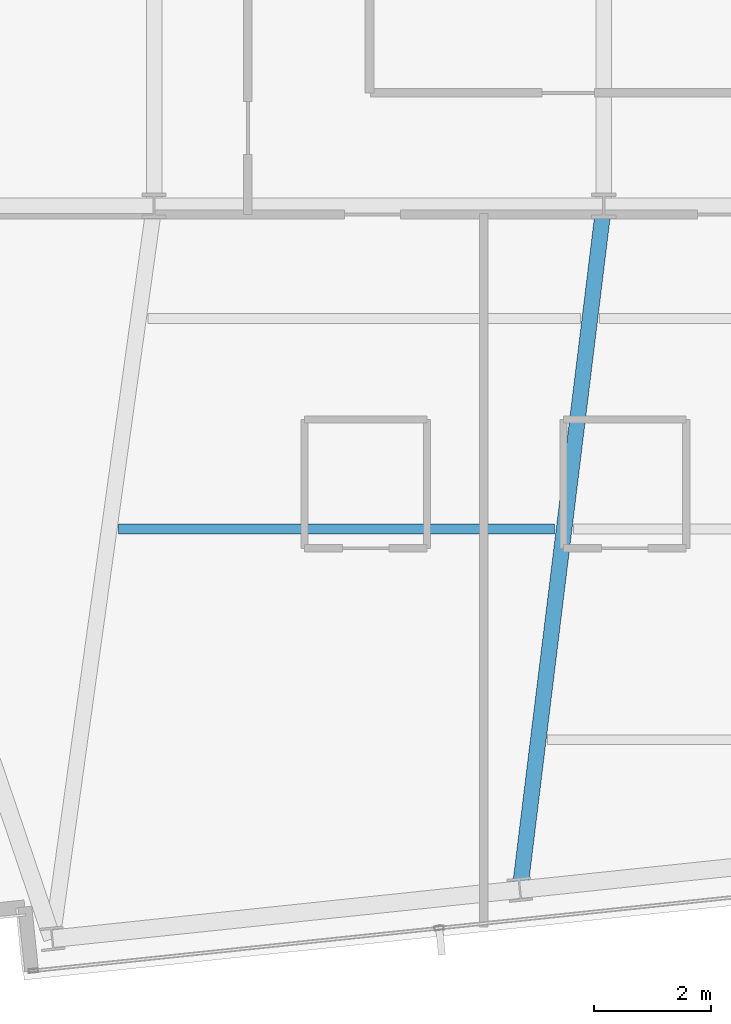
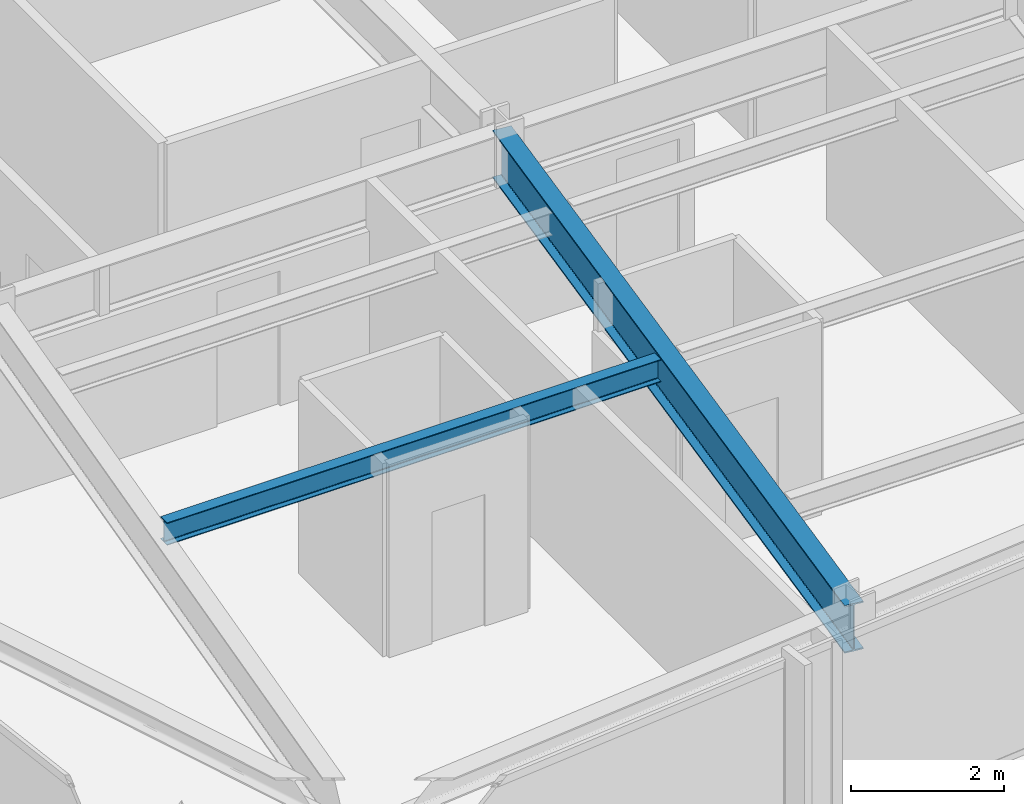
# One storey, part 4 of 33: 2 beams.
"""IFC4 building model written with IfcOpenShell, lengths in metres."""

import ifcopenshell
import ifcopenshell.guid

model = None  # the IFC model being written
_history = None  # IfcOwnerHistory: only IFC2X3 demands one
_inside = {}  # id of a spatial element -> (the spatial element, [elements in it])
_under = {}  # id of a project, library or spatial element -> (it, [spatial elements below it])
_declared = {}  # id of a project -> (the project, [libraries it declares])
_typed = {}  # id of a type object -> (the type object, [elements of that type])
_made_of = {}  # id of a material, layer set ... -> (it, [elements and type objects made of it])


def new_model(schema):
    """Start an empty IFC model of exactly this schema.

    Asked for "IFC4X3", IfcOpenShell would pick the latest addendum, in which some entities
    have other attributes; the version numbers below select the first issue.
    IFC2X3 requires an IfcOwnerHistory on every rooted entity: one is made here for all.
    """
    global model, _history
    if schema == "IFC4X3":
        model = ifcopenshell.file(schema_version=(4, 3, 0, 0))
    else:
        model = ifcopenshell.file(schema=schema)
    _inside.clear()
    _under.clear()
    _declared.clear()
    _typed.clear()
    _made_of.clear()
    _history = None
    if model.schema == "IFC2X3":
        org = make("IfcOrganization", Name="unknown")
        user = make(
            "IfcPersonAndOrganization",
            ThePerson=make("IfcPerson", FamilyName="unknown"),
            TheOrganization=org,
        )
        app = make(
            "IfcApplication",
            ApplicationDeveloper=org,
            Version="unknown",
            ApplicationFullName="unknown",
            ApplicationIdentifier="unknown",
        )
        _history = make(
            "IfcOwnerHistory",
            OwningUser=user,
            OwningApplication=app,
            ChangeAction="ADDED",
            CreationDate=0,
        )
    return model


def make(cls, **values):
    """One entity of the class cls with the attributes given. An attribute that is None is left unset."""
    return model.create_entity(
        cls, **{name: value for name, value in values.items() if value is not None}
    )


def rooted(cls, **values):
    """An entity with a GlobalId (a new one), such as an element, a storey or a relation."""
    return make(cls, GlobalId=ifcopenshell.guid.new(), OwnerHistory=_history, **values)


def si_unit(unit_type, name, prefix=None):
    """IfcSIUnit, for example si_unit("LENGTHUNIT", "METRE", prefix="MILLI")."""
    return make("IfcSIUnit", UnitType=unit_type, Prefix=prefix, Name=name)


def assignment(units):
    """IfcUnitAssignment: the units of a project."""
    return None if units is None else make("IfcUnitAssignment", Units=units)


def point(xyz):
    """IfcCartesianPoint."""
    return None if xyz is None else make("IfcCartesianPoint", Coordinates=xyz)


def direction(xyz):
    """IfcDirection."""
    return None if xyz is None else make("IfcDirection", DirectionRatios=xyz)


def frame(location, z_axis=None, x_axis=None):
    """IfcAxis2Placement3D, a coordinate frame: its origin and axes. An axis left out is left unset."""
    return make(
        "IfcAxis2Placement3D",
        Location=point(location),
        Axis=direction(z_axis),
        RefDirection=direction(x_axis),
    )


def frame_2d(location, x_axis=None):
    """IfcAxis2Placement2D, a coordinate frame in the plane: its origin and x axis."""
    return make(
        "IfcAxis2Placement2D", Location=point(location), RefDirection=direction(x_axis)
    )


def origin():
    """The frame at (0, 0, 0) with its axes left unset."""
    return frame((0.0, 0.0, 0.0))


def origin_2d():
    """The frame at (0, 0) in the plane with its x axis left unset."""
    return frame_2d((0.0, 0.0))


def place(relative_to, where):
    """IfcLocalPlacement: puts the frame where relative to a parent placement (None: the world)."""
    return make(
        "IfcLocalPlacement", PlacementRelTo=relative_to, RelativePlacement=where
    )


def context(
    kind, dimensions, precision=None, world=None, true_north=None, identifier=None
):
    """IfcGeometricRepresentationContext, for example the 3D "Model" context."""
    return make(
        "IfcGeometricRepresentationContext",
        ContextIdentifier=identifier,
        ContextType=kind,
        CoordinateSpaceDimension=dimensions,
        Precision=precision,
        WorldCoordinateSystem=world,
        TrueNorth=true_north,
    )


def subcontext(parent, identifier, kind, view, scale=None):
    """IfcGeometricRepresentationSubContext, for example "Body" below "Model"."""
    return make(
        "IfcGeometricRepresentationSubContext",
        ContextIdentifier=identifier,
        ContextType=kind,
        ParentContext=parent,
        TargetScale=scale,
        TargetView=view,
    )


def project(units=None, contexts=None):
    """IfcProject with its units and contexts."""
    return rooted(
        "IfcProject",
        Name="project",
        RepresentationContexts=contexts,
        UnitsInContext=assignment(units),
    )


def spatial(cls, under=None, at=None, **own):
    """A site, building, storey or space (cls), placed at a placement, below another one or the project."""
    s = rooted(cls, ObjectPlacement=at, **own)
    if under is not None:
        _under.setdefault(under.id(), (under, []))[1].append(s)
    return s


def profile(cls, at=None, kind="AREA", **sizes):
    """A parametric profile (cls). Its sizes go by their IFC names, for example OverallWidth=200.0."""
    return make(cls, ProfileType=kind, Position=at, **sizes)


def i_section(**sizes):
    """IfcIShapeProfileDef."""
    return profile("IfcIShapeProfileDef", **sizes)


def extrude(swept, where, along, depth):
    """IfcExtrudedAreaSolid: the profile swept, set in the frame where, extruded along a direction by depth."""
    return make(
        "IfcExtrudedAreaSolid",
        SweptArea=swept,
        Position=where,
        ExtrudedDirection=direction(along),
        Depth=depth,
    )


def shape(context_of_items, identifier, shape_type, items):
    """IfcShapeRepresentation: the items that make up one representation, for example the "Body"."""
    return make(
        "IfcShapeRepresentation",
        ContextOfItems=context_of_items,
        RepresentationIdentifier=identifier,
        RepresentationType=shape_type,
        Items=items,
    )


def material(Name=None, Category=None):
    """IfcMaterial."""
    return make("IfcMaterial", Name=Name, Category=Category)


def material_profile(
    of_material, cross_section, Name=None, Category=None, Priority=None
):
    """IfcMaterialProfile: a cross section and its material."""
    return make(
        "IfcMaterialProfile",
        Name=Name,
        Material=of_material,
        Profile=cross_section,
        Priority=Priority,
        Category=Category,
    )


def profile_set(profiles, Name=None, composite=None):
    """IfcMaterialProfileSet."""
    return make(
        "IfcMaterialProfileSet",
        Name=Name,
        MaterialProfiles=profiles,
        CompositeProfile=composite,
    )


def made_of(thing, what):
    """Note that an element or type object is made of a material, layer set ...; save() writes the relation."""
    if what is not None:
        _made_of.setdefault(what.id(), (what, []))[1].append(thing)
    return thing


def type_object(cls, material=None, **own):
    """A type object (cls), such as IfcWallType, which elements share."""
    return made_of(rooted(cls, **own), material)


def element(
    cls,
    number,
    at=None,
    inside=None,
    cuts=None,
    type_object=None,
    material=None,
    context=None,
    identifier="Body",
    shape_type=None,
    held_by="IfcProductDefinitionShape",
    body=None,
    shapes=None,
    **own,
):
    """One element of the class cls, such as IfcWall. Its Tag is "e" and its number.

    at: its placement. inside: the storey or other place that contains it. cuts: it is an
    opening in that element (IfcRelVoidsElement). A single representation is given by context,
    identifier, shape_type and body (its items); several are given by shapes. held_by: the class
    of the entity that holds the representations. save() writes the other relations.
    """
    e = rooted(cls, Tag="e%d" % number, ObjectPlacement=at, **own)
    if body is not None:
        shapes = [shape(context, identifier, shape_type, body)]
    if shapes is not None:
        e.Representation = make(held_by, Representations=shapes)
    if inside is not None:
        _inside.setdefault(inside.id(), (inside, []))[1].append(e)
    if cuts is not None:
        rooted(
            "IfcRelVoidsElement", RelatingBuildingElement=cuts, RelatedOpeningElement=e
        )
    if type_object is not None:
        _typed.setdefault(type_object.id(), (type_object, []))[1].append(e)
    return made_of(e, material)


def aggregate(whole, parts):
    """IfcRelAggregates: a whole, such as a stair, and the parts it consists of."""
    return rooted("IfcRelAggregates", RelatingObject=whole, RelatedObjects=parts)


def save(model, path):
    """Write the relations noted so far, then the file.

    IfcRelAggregates (storeys below a building ...), IfcRelContainedInSpatialStructure (elements
    in a storey), IfcRelDefinesByType, IfcRelAssociatesMaterial and IfcRelDeclares: one each for
    every whole, place, type object, material and project.
    """
    for whole, parts in _under.values():
        aggregate(whole, parts)
    for where, things in _inside.values():
        rooted(
            "IfcRelContainedInSpatialStructure",
            RelatedElements=things,
            RelatingStructure=where,
        )
    for kind, things in _typed.values():
        rooted("IfcRelDefinesByType", RelatedObjects=things, RelatingType=kind)
    for what, things in _made_of.values():
        rooted("IfcRelAssociatesMaterial", RelatedObjects=things, RelatingMaterial=what)
    for by, libraries in _declared.values():
        rooted("IfcRelDeclares", RelatingContext=by, RelatedDefinitions=libraries)
    model.write(path)


model = new_model("IFC4")

# Units and contexts
model_context = context("Model", 3, precision=1e-05, world=origin(), true_north=direction((0.0, 1.0)))
body_context = subcontext(model_context, "Body", "Model", "MODEL_VIEW")
ifc_project = project(units=[si_unit("LENGTHUNIT", "METRE"), si_unit("AREAUNIT", "SQUARE_METRE"), si_unit("VOLUMEUNIT", "CUBIC_METRE"), si_unit("PLANEANGLEUNIT", "RADIAN"), si_unit("MASSUNIT", "GRAM", prefix="KILO")], contexts=[model_context])

# Site, building, storey
site_placement = place(None, origin())
site = spatial("IfcSite", under=ifc_project, at=site_placement, CompositionType="ELEMENT")
building_placement = place(site_placement, origin())
building = spatial("IfcBuilding", under=site, at=building_placement, Name="Yelkora Congress Tower", CompositionType="ELEMENT")
storey_placement = place(building_placement, frame((0.0, 0.0, 240.800048828125)))
storey = spatial("IfcBuildingStorey", under=building, at=storey_placement, Name="L67", CompositionType="ELEMENT", Elevation=240.800048828125)

# Beams
ifc_material = material(Name="Steel S355J2", Category="steel")
ifc_material_profile_1 = material_profile(ifc_material, i_section(OverallWidth=0.26708984375, OverallDepth=0.761962890625, WebThickness=0.014404296875, FlangeThickness=0.021484375, FilletRadius=0.01708984375, at=origin_2d()), Name="IPE 750x173")
ifc_profile_set_1 = profile_set([ifc_material_profile_1], Name="Steel S355J2")
beam_type_1 = type_object("IfcBeamType", Name="BM-GIRD-IPE750", PredefinedType="BEAM", material=ifc_profile_set_1)
beam_1_placement = place(storey_placement, frame((29.288330078125, 13.518310546875, 2.698974609375), z_axis=(0.121644630436, 0.992573717104, 0.0), x_axis=(-0.992573717104, 0.121644630436, 0.0)))
element("IfcBeam", 1, at=beam_1_placement, inside=storey, type_object=beam_type_1, Name="L67 Primary Frame Girder S02", PredefinedType="BEAM", context=body_context, shape_type="SweptSolid", body=[
    extrude(i_section(OverallWidth=0.26708984375, OverallDepth=0.761962890625, WebThickness=0.014404296875, FlangeThickness=0.021484375, FilletRadius=0.01708984375, at=origin_2d()), origin(), (0.0, 0.0, 1.0), 11.76904296875),
])
ifc_material_profile_2 = material_profile(ifc_material, i_section(OverallWidth=0.169921875, OverallDepth=0.360107421875, WebThickness=0.008056640625, FlangeThickness=0.0126953125, FilletRadius=0.01806640625, at=origin_2d()), Name="IPE 360")
ifc_profile_set_2 = profile_set([ifc_material_profile_2], Name="Steel S355J2")
beam_type_2 = type_object("IfcBeamType", Name="BM-JOIST-IPE360", PredefinedType="JOIST", material=ifc_profile_set_2)
beam_2_placement = place(storey_placement, frame((22.432373046875, 19.678466796875, 2.89990234375), z_axis=(1.0, 0.0, 0.0), x_axis=(0.0, 1.0, 0.0)))
element("IfcBeam", 2, at=beam_2_placement, inside=storey, type_object=beam_type_2, Name="L67 Composite Floor Joist 3", PredefinedType="JOIST", context=body_context, shape_type="SweptSolid", body=[
    extrude(i_section(OverallWidth=0.169921875, OverallDepth=0.360107421875, WebThickness=0.008056640625, FlangeThickness=0.0126953125, FilletRadius=0.01806640625, at=origin_2d()), origin(), (0.0, 0.0, 1.0), 7.450927734375),
])

save(model, "model.ifc")
